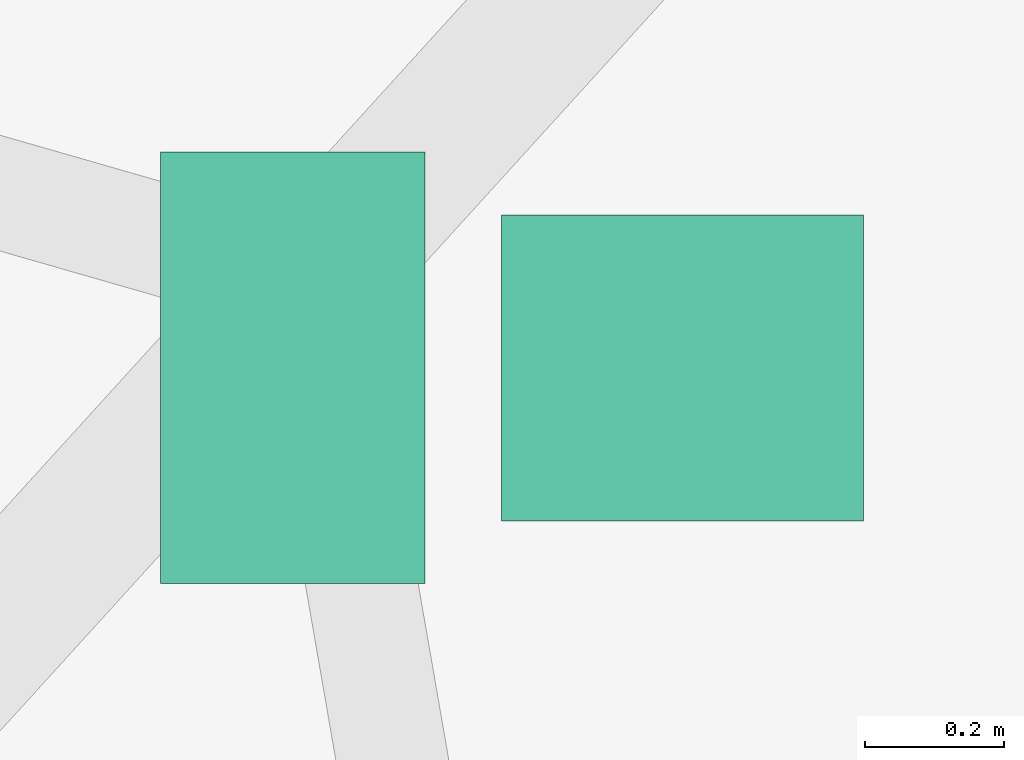
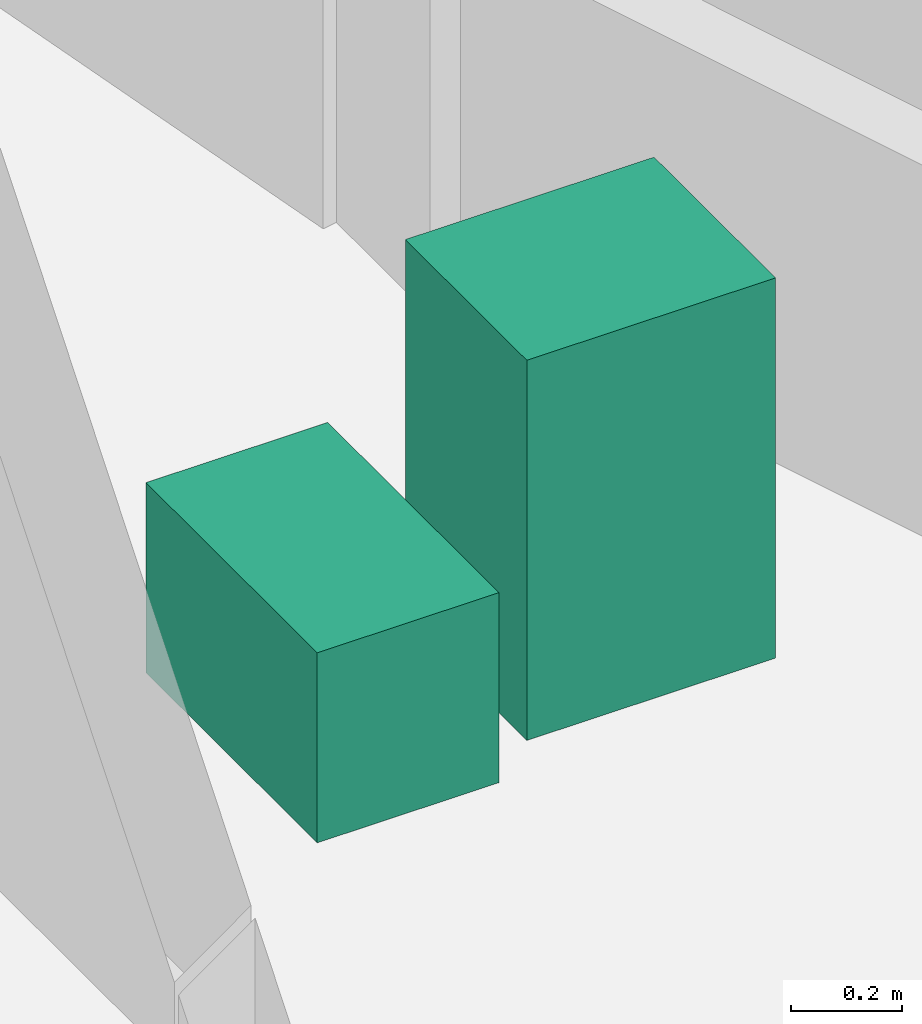
# One storey, part 11 of 11: 2 sanitary terminals.
"""IFC4 building model written with IfcOpenShell, lengths in metres."""

from ifc_helpers import new_model, si_unit, direction, frame, origin, origin_2d, place, context, subcontext, project, spatial, rectangle, extrude, source, transform, mapped, material, type_object, element, save


model = new_model("IFC4")

# Units and contexts
model_context = context("Model", 3, precision=1e-05, world=origin(), true_north=direction((0.0, 1.0)))
body_context = subcontext(model_context, "Body", "Model", "MODEL_VIEW")
ifc_project = project(units=[si_unit("LENGTHUNIT", "METRE"), si_unit("AREAUNIT", "SQUARE_METRE"), si_unit("VOLUMEUNIT", "CUBIC_METRE"), si_unit("PLANEANGLEUNIT", "RADIAN"), si_unit("MASSUNIT", "GRAM", prefix="KILO")], contexts=[model_context])

# Site, building, storey
site_placement = place(None, origin())
site = spatial("IfcSite", under=ifc_project, at=site_placement, CompositionType="ELEMENT")
building_placement = place(site_placement, origin())
building = spatial("IfcBuilding", under=site, at=building_placement, Name="Qafzar Sky-Pleat Residences", CompositionType="ELEMENT")
storey_placement = place(building_placement, frame((0.0, 0.0, 230.800048828125)))
storey = spatial("IfcBuildingStorey", under=building, at=storey_placement, Name="L69", CompositionType="ELEMENT", Elevation=230.800048828125)

# Sanitary terminals
ifc_material = material(Name="Vitreous china sanitaryware")
sanitary_terminal_type_1 = type_object("IfcSanitaryTerminalType", Name="SAN-WC-PAN", PredefinedType="TOILETPAN", material=ifc_material)
shared_shape_1 = source(origin(), body_context, "Body", "SweptSolid", [
    extrude(rectangle(XDim=0.3798828125, YDim=0.6201171875, at=origin_2d()), origin(), (0.0, 0.0, 1.0), 0.419921875),
])
sanitary_terminal_1_placement = place(storey_placement, frame((38.70361328125, 35.1015625, 0.0), z_axis=(0.0, 0.0, 1.0), x_axis=(1.0, 0.0, 0.0)))
element("IfcSanitaryTerminal", 1, at=sanitary_terminal_1_placement, inside=storey, type_object=sanitary_terminal_type_1, Name="L69 Accessible Shared Washroom WC Pan", PredefinedType="TOILETPAN", context=body_context, shape_type="MappedRepresentation", body=[
    mapped(shared_shape_1, transform((0.0, 0.0, 0.0), x_axis=(1.0, 0.0, 0.0), y_axis=(0.0, 1.0, 0.0), z_axis=(0.0, 0.0, 1.0), scale=1.0)),
])
sanitary_terminal_type_2 = type_object("IfcSanitaryTerminalType", Name="SAN-BASIN", PredefinedType="WASHHANDBASIN", material=ifc_material)
shared_shape_2 = source(origin(), body_context, "Body", "SweptSolid", [
    extrude(rectangle(XDim=0.52001953125, YDim=0.43994140625, at=origin_2d()), origin(), (0.0, 0.0, 1.0), 0.840087890625),
])
sanitary_terminal_2_placement = place(storey_placement, frame((39.263671875, 35.1015625, 0.0), z_axis=(0.0, 0.0, 1.0), x_axis=(1.0, 0.0, 0.0)))
element("IfcSanitaryTerminal", 2, at=sanitary_terminal_2_placement, inside=storey, type_object=sanitary_terminal_type_2, Name="L69 Accessible Shared Washroom Pedestal Washbasin", PredefinedType="WASHHANDBASIN", context=body_context, shape_type="MappedRepresentation", body=[
    mapped(shared_shape_2, transform((0.0, 0.0, 0.0), x_axis=(1.0, 0.0, 0.0), y_axis=(0.0, 1.0, 0.0), z_axis=(0.0, 0.0, 1.0), scale=1.0)),
])

save(model, "model.ifc")
